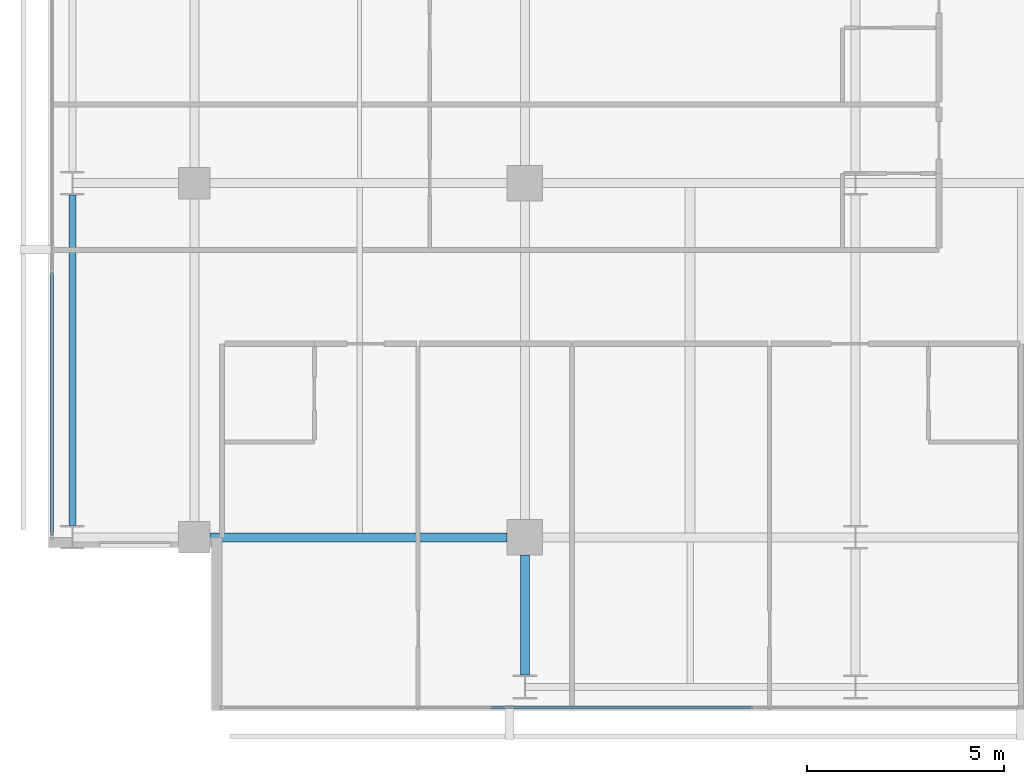
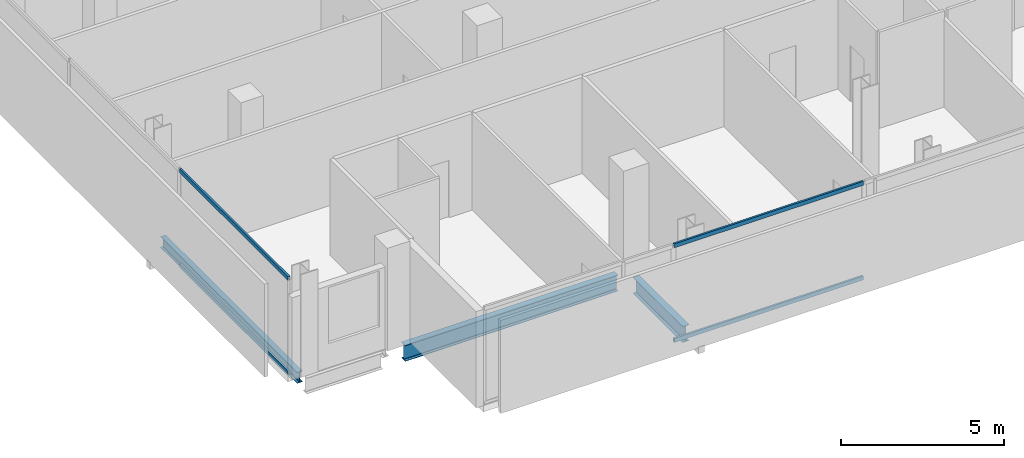
# One storey, part 3 of 34: 4 members, 3 beams, 2 elements without a shape of their own.
"""IFC4 building model written with IfcOpenShell, lengths in metres."""

import ifcopenshell
import ifcopenshell.guid

model = None  # the IFC model being written
_history = None  # IfcOwnerHistory: only IFC2X3 demands one
_inside = {}  # id of a spatial element -> (the spatial element, [elements in it])
_under = {}  # id of a project, library or spatial element -> (it, [spatial elements below it])
_declared = {}  # id of a project -> (the project, [libraries it declares])
_typed = {}  # id of a type object -> (the type object, [elements of that type])
_made_of = {}  # id of a material, layer set ... -> (it, [elements and type objects made of it])


def new_model(schema):
    """Start an empty IFC model of exactly this schema.

    Asked for "IFC4X3", IfcOpenShell would pick the latest addendum, in which some entities
    have other attributes; the version numbers below select the first issue.
    IFC2X3 requires an IfcOwnerHistory on every rooted entity: one is made here for all.
    """
    global model, _history
    if schema == "IFC4X3":
        model = ifcopenshell.file(schema_version=(4, 3, 0, 0))
    else:
        model = ifcopenshell.file(schema=schema)
    _inside.clear()
    _under.clear()
    _declared.clear()
    _typed.clear()
    _made_of.clear()
    _history = None
    if model.schema == "IFC2X3":
        org = make("IfcOrganization", Name="unknown")
        user = make(
            "IfcPersonAndOrganization",
            ThePerson=make("IfcPerson", FamilyName="unknown"),
            TheOrganization=org,
        )
        app = make(
            "IfcApplication",
            ApplicationDeveloper=org,
            Version="unknown",
            ApplicationFullName="unknown",
            ApplicationIdentifier="unknown",
        )
        _history = make(
            "IfcOwnerHistory",
            OwningUser=user,
            OwningApplication=app,
            ChangeAction="ADDED",
            CreationDate=0,
        )
    return model


def make(cls, **values):
    """One entity of the class cls with the attributes given. An attribute that is None is left unset."""
    return model.create_entity(
        cls, **{name: value for name, value in values.items() if value is not None}
    )


def rooted(cls, **values):
    """An entity with a GlobalId (a new one), such as an element, a storey or a relation."""
    return make(cls, GlobalId=ifcopenshell.guid.new(), OwnerHistory=_history, **values)


def si_unit(unit_type, name, prefix=None):
    """IfcSIUnit, for example si_unit("LENGTHUNIT", "METRE", prefix="MILLI")."""
    return make("IfcSIUnit", UnitType=unit_type, Prefix=prefix, Name=name)


def assignment(units):
    """IfcUnitAssignment: the units of a project."""
    return None if units is None else make("IfcUnitAssignment", Units=units)


def point(xyz):
    """IfcCartesianPoint."""
    return None if xyz is None else make("IfcCartesianPoint", Coordinates=xyz)


def direction(xyz):
    """IfcDirection."""
    return None if xyz is None else make("IfcDirection", DirectionRatios=xyz)


def frame(location, z_axis=None, x_axis=None):
    """IfcAxis2Placement3D, a coordinate frame: its origin and axes. An axis left out is left unset."""
    return make(
        "IfcAxis2Placement3D",
        Location=point(location),
        Axis=direction(z_axis),
        RefDirection=direction(x_axis),
    )


def frame_2d(location, x_axis=None):
    """IfcAxis2Placement2D, a coordinate frame in the plane: its origin and x axis."""
    return make(
        "IfcAxis2Placement2D", Location=point(location), RefDirection=direction(x_axis)
    )


def origin():
    """The frame at (0, 0, 0) with its axes left unset."""
    return frame((0.0, 0.0, 0.0))


def origin_2d():
    """The frame at (0, 0) in the plane with its x axis left unset."""
    return frame_2d((0.0, 0.0))


def place(relative_to, where):
    """IfcLocalPlacement: puts the frame where relative to a parent placement (None: the world)."""
    return make(
        "IfcLocalPlacement", PlacementRelTo=relative_to, RelativePlacement=where
    )


def context(
    kind, dimensions, precision=None, world=None, true_north=None, identifier=None
):
    """IfcGeometricRepresentationContext, for example the 3D "Model" context."""
    return make(
        "IfcGeometricRepresentationContext",
        ContextIdentifier=identifier,
        ContextType=kind,
        CoordinateSpaceDimension=dimensions,
        Precision=precision,
        WorldCoordinateSystem=world,
        TrueNorth=true_north,
    )


def subcontext(parent, identifier, kind, view, scale=None):
    """IfcGeometricRepresentationSubContext, for example "Body" below "Model"."""
    return make(
        "IfcGeometricRepresentationSubContext",
        ContextIdentifier=identifier,
        ContextType=kind,
        ParentContext=parent,
        TargetScale=scale,
        TargetView=view,
    )


def project(units=None, contexts=None):
    """IfcProject with its units and contexts."""
    return rooted(
        "IfcProject",
        Name="project",
        RepresentationContexts=contexts,
        UnitsInContext=assignment(units),
    )


def spatial(cls, under=None, at=None, **own):
    """A site, building, storey or space (cls), placed at a placement, below another one or the project."""
    s = rooted(cls, ObjectPlacement=at, **own)
    if under is not None:
        _under.setdefault(under.id(), (under, []))[1].append(s)
    return s


def profile(cls, at=None, kind="AREA", **sizes):
    """A parametric profile (cls). Its sizes go by their IFC names, for example OverallWidth=200.0."""
    return make(cls, ProfileType=kind, Position=at, **sizes)


def hollow_rectangle(**sizes):
    """IfcRectangleHollowProfileDef."""
    return profile("IfcRectangleHollowProfileDef", **sizes)


def i_section(**sizes):
    """IfcIShapeProfileDef."""
    return profile("IfcIShapeProfileDef", **sizes)


def extrude(swept, where, along, depth):
    """IfcExtrudedAreaSolid: the profile swept, set in the frame where, extruded along a direction by depth."""
    return make(
        "IfcExtrudedAreaSolid",
        SweptArea=swept,
        Position=where,
        ExtrudedDirection=direction(along),
        Depth=depth,
    )


def shape(context_of_items, identifier, shape_type, items):
    """IfcShapeRepresentation: the items that make up one representation, for example the "Body"."""
    return make(
        "IfcShapeRepresentation",
        ContextOfItems=context_of_items,
        RepresentationIdentifier=identifier,
        RepresentationType=shape_type,
        Items=items,
    )


def material(Name=None, Category=None):
    """IfcMaterial."""
    return make("IfcMaterial", Name=Name, Category=Category)


def layer(
    of_material, thickness, ventilated=None, Name=None, Category=None, Priority=None
):
    """IfcMaterialLayer: one layer of a wall or slab, of a material (None: an air gap)."""
    return make(
        "IfcMaterialLayer",
        Material=of_material,
        LayerThickness=thickness,
        IsVentilated=ventilated,
        Name=Name,
        Category=Category,
        Priority=Priority,
    )


def layer_set(layers, Name=None):
    """IfcMaterialLayerSet."""
    return make("IfcMaterialLayerSet", MaterialLayers=layers, LayerSetName=Name)


def material_profile(
    of_material, cross_section, Name=None, Category=None, Priority=None
):
    """IfcMaterialProfile: a cross section and its material."""
    return make(
        "IfcMaterialProfile",
        Name=Name,
        Material=of_material,
        Profile=cross_section,
        Priority=Priority,
        Category=Category,
    )


def profile_set(profiles, Name=None, composite=None):
    """IfcMaterialProfileSet."""
    return make(
        "IfcMaterialProfileSet",
        Name=Name,
        MaterialProfiles=profiles,
        CompositeProfile=composite,
    )


def made_of(thing, what):
    """Note that an element or type object is made of a material, layer set ...; save() writes the relation."""
    if what is not None:
        _made_of.setdefault(what.id(), (what, []))[1].append(thing)
    return thing


def type_object(cls, material=None, **own):
    """A type object (cls), such as IfcWallType, which elements share."""
    return made_of(rooted(cls, **own), material)


def element(
    cls,
    number,
    at=None,
    inside=None,
    cuts=None,
    type_object=None,
    material=None,
    context=None,
    identifier="Body",
    shape_type=None,
    held_by="IfcProductDefinitionShape",
    body=None,
    shapes=None,
    **own,
):
    """One element of the class cls, such as IfcWall. Its Tag is "e" and its number.

    at: its placement. inside: the storey or other place that contains it. cuts: it is an
    opening in that element (IfcRelVoidsElement). A single representation is given by context,
    identifier, shape_type and body (its items); several are given by shapes. held_by: the class
    of the entity that holds the representations. save() writes the other relations.
    """
    e = rooted(cls, Tag="e%d" % number, ObjectPlacement=at, **own)
    if body is not None:
        shapes = [shape(context, identifier, shape_type, body)]
    if shapes is not None:
        e.Representation = make(held_by, Representations=shapes)
    if inside is not None:
        _inside.setdefault(inside.id(), (inside, []))[1].append(e)
    if cuts is not None:
        rooted(
            "IfcRelVoidsElement", RelatingBuildingElement=cuts, RelatedOpeningElement=e
        )
    if type_object is not None:
        _typed.setdefault(type_object.id(), (type_object, []))[1].append(e)
    return made_of(e, material)


def aggregate(whole, parts):
    """IfcRelAggregates: a whole, such as a stair, and the parts it consists of."""
    return rooted("IfcRelAggregates", RelatingObject=whole, RelatedObjects=parts)


def save(model, path):
    """Write the relations noted so far, then the file.

    IfcRelAggregates (storeys below a building ...), IfcRelContainedInSpatialStructure (elements
    in a storey), IfcRelDefinesByType, IfcRelAssociatesMaterial and IfcRelDeclares: one each for
    every whole, place, type object, material and project.
    """
    for whole, parts in _under.values():
        aggregate(whole, parts)
    for where, things in _inside.values():
        rooted(
            "IfcRelContainedInSpatialStructure",
            RelatedElements=things,
            RelatingStructure=where,
        )
    for kind, things in _typed.values():
        rooted("IfcRelDefinesByType", RelatedObjects=things, RelatingType=kind)
    for what, things in _made_of.values():
        rooted("IfcRelAssociatesMaterial", RelatedObjects=things, RelatingMaterial=what)
    for by, libraries in _declared.values():
        rooted("IfcRelDeclares", RelatingContext=by, RelatedDefinitions=libraries)
    model.write(path)


model = new_model("IFC4")

# Units and contexts
model_context = context("Model", 3, precision=1e-05, world=origin(), true_north=direction((0.0, 1.0)))
body_context = subcontext(model_context, "Body", "Model", "MODEL_VIEW")
ifc_project = project(units=[si_unit("LENGTHUNIT", "METRE"), si_unit("AREAUNIT", "SQUARE_METRE"), si_unit("VOLUMEUNIT", "CUBIC_METRE"), si_unit("PLANEANGLEUNIT", "RADIAN"), si_unit("MASSUNIT", "GRAM", prefix="KILO")], contexts=[model_context])

# Site, building, storey
site_placement = place(None, origin())
site = spatial("IfcSite", under=ifc_project, at=site_placement, CompositionType="ELEMENT")
building_placement = place(site_placement, origin())
building = spatial("IfcBuilding", under=site, at=building_placement, Name="Maruvema Waterfront Hotel and Observation Tower", CompositionType="ELEMENT")
storey_placement = place(building_placement, frame((0.0, 0.0, 192.85009765625)))
storey = spatial("IfcBuildingStorey", under=building, at=storey_placement, Name="L47", CompositionType="ELEMENT", Elevation=192.85009765625)

# Curtain wall, members
ifc_material_1 = material(Name="Anodised bronze aluminium and solar-control low-E IGU", Category="aluminium")
ifc_layer = layer(ifc_material_1, 0.159912109375, Name="Zone 2 Amber Inner Thermal Curtain Wall System CW-03")
ifc_layer_set = layer_set([ifc_layer], Name="Anodised bronze aluminium and solar-control low-E IGU")
curtain_wall_type = type_object("IfcCurtainWallType", Name="Zone 2 Amber Inner Thermal Curtain Wall System CW-03", PredefinedType="USERDEFINED", material=ifc_layer_set)
curtain_wall_1_placement = place(storey_placement, origin())
curtain_wall_1 = element("IfcCurtainWall", 1, at=curtain_wall_1_placement, inside=storey, type_object=curtain_wall_type, Name="L47 Curtain Wall CW-L47-S", ObjectType="UNITISED CURTAIN WALL", PredefinedType="USERDEFINED")
ifc_material_2 = material(Name="Anodised architectural bronze aluminium", Category="aluminium")
ifc_material_profile_1 = material_profile(ifc_material_2, hollow_rectangle(XDim=0.070068359375, YDim=0.14990234375, WallThickness=0.00390625, at=origin_2d()), Name="ALU-T70x150")
ifc_profile_set_1 = profile_set([ifc_material_profile_1], Name="Anodised architectural bronze aluminium")
member_type = type_object("IfcMemberType", Name="Curtain Wall Horizontal Transom ALU-T70x150", PredefinedType="USERDEFINED", material=ifc_profile_set_1)
member_1_placement = place(storey_placement, frame((24.296630859375, 4.679931640625, 0.02978515625), z_axis=(1.0, 0.0, 0.0), x_axis=(0.0, 1.0, 0.0)))
member_1 = element("IfcMember", 2, at=member_1_placement, type_object=member_type, Name="CW-03 transom 2.1", ObjectType="TRANSOM", PredefinedType="USERDEFINED", context=body_context, shape_type="SweptSolid", body=[
    extrude(hollow_rectangle(XDim=0.070068359375, YDim=0.14990234375, WallThickness=0.00390625, at=origin_2d()), origin(), (0.0, 0.0, 1.0), 6.706787109375),
])
member_2_placement = place(storey_placement, frame((24.296630859375, 4.679931640625, 3.579833984375), z_axis=(1.0, 0.0, 0.0), x_axis=(0.0, 1.0, 0.0)))
member_2 = element("IfcMember", 3, at=member_2_placement, type_object=member_type, Name="CW-03 transom 2.2", ObjectType="TRANSOM", PredefinedType="USERDEFINED", context=body_context, shape_type="SweptSolid", body=[
    extrude(hollow_rectangle(XDim=0.070068359375, YDim=0.14990234375, WallThickness=0.00390625, at=origin_2d()), origin(), (0.0, 0.0, 1.0), 6.706787109375),
])
aggregate(curtain_wall_1, [member_1, member_2])

curtain_wall_2_placement = place(storey_placement, origin())
curtain_wall_2 = element("IfcCurtainWall", 4, at=curtain_wall_2_placement, inside=storey, type_object=curtain_wall_type, Name="L47 Curtain Wall CW-L47-W", ObjectType="UNITISED CURTAIN WALL", PredefinedType="USERDEFINED")
member_3_placement = place(storey_placement, frame((13.179931640625, 15.736572265625, 0.02978515625), z_axis=(0.0, -1.0, 0.0), x_axis=(1.0, 0.0, 0.0)))
member_3 = element("IfcMember", 5, at=member_3_placement, type_object=member_type, Name="CW-03 transom 6.1", ObjectType="TRANSOM", PredefinedType="USERDEFINED", context=body_context, shape_type="SweptSolid", body=[
    extrude(hollow_rectangle(XDim=0.070068359375, YDim=0.14990234375, WallThickness=0.00390625, at=origin_2d()), origin(), (0.0, 0.0, 1.0), 6.676513671875),
])
member_4_placement = place(storey_placement, frame((13.179931640625, 15.736572265625, 3.579833984375), z_axis=(0.0, -1.0, 0.0), x_axis=(1.0, 0.0, 0.0)))
member_4 = element("IfcMember", 6, at=member_4_placement, type_object=member_type, Name="CW-03 transom 6.2", ObjectType="TRANSOM", PredefinedType="USERDEFINED", context=body_context, shape_type="SweptSolid", body=[
    extrude(hollow_rectangle(XDim=0.070068359375, YDim=0.14990234375, WallThickness=0.00390625, at=origin_2d()), origin(), (0.0, 0.0, 1.0), 6.676513671875),
])
aggregate(curtain_wall_2, [member_3, member_4])

# Beams
ifc_material_3 = material(Name="Steel ASTM A572 Grade 50", Category="steel")
ifc_material_profile_2 = material_profile(ifc_material_3, i_section(OverallWidth=0.180908203125, OverallDepth=0.4169921875, WebThickness=0.010986328125, FlangeThickness=0.018310546875, FilletRadius=0.014892578125, at=origin_2d()), Name="W410x85.0")
ifc_profile_set_2 = profile_set([ifc_material_profile_2], Name="Steel ASTM A572 Grade 50")
beam_type_1 = type_object("IfcBeamType", Name="Perimeter Spandrel Beam W410x85.0", PredefinedType="SPANDREL", material=ifc_profile_set_2)
beam_1_placement = place(storey_placement, frame((13.699951171875, 9.300048828125, -0.448486328125), z_axis=(0.0, 1.0, 0.0), x_axis=(-1.0, 0.0, 0.0)))
element("IfcBeam", 7, at=beam_1_placement, inside=storey, type_object=beam_type_1, Name="L47 Floor Girder NS-01", PredefinedType="SPANDREL", context=body_context, shape_type="SweptSolid", body=[
    extrude(i_section(OverallWidth=0.180908203125, OverallDepth=0.4169921875, WebThickness=0.010986328125, FlangeThickness=0.018310546875, FilletRadius=0.014892578125, at=origin_2d()), origin(), (0.0, 0.0, 1.0), 8.39990234375),
])
ifc_material_4 = material(Name="Steel ASTM A572 Grade 50", Category="steel")
ifc_material_profile_3 = material_profile(ifc_material_4, i_section(OverallWidth=0.22802734375, OverallDepth=0.60302734375, WebThickness=0.010498046875, FlangeThickness=0.014892578125, FilletRadius=0.01806640625, at=origin_2d()), Name="W610x101.0")
ifc_profile_set_3 = profile_set([ifc_material_profile_3], Name="Steel ASTM A572 Grade 50")
beam_type_2 = type_object("IfcBeamType", Name="Primary Floor Girder W610x101.0", PredefinedType="BEAM", material=ifc_profile_set_3)
beam_2_placement = place(storey_placement, frame((17.199951171875, 9.0, -0.54150390625), z_axis=(1.0, 0.0, 0.0), x_axis=(0.0, 1.0, 0.0)))
element("IfcBeam", 8, at=beam_2_placement, inside=storey, type_object=beam_type_2, Name="L47 Floor Girder EW-05", PredefinedType="BEAM", context=body_context, shape_type="SweptSolid", body=[
    extrude(i_section(OverallWidth=0.22802734375, OverallDepth=0.60302734375, WebThickness=0.010498046875, FlangeThickness=0.014892578125, FilletRadius=0.01806640625, at=origin_2d()), origin(), (0.0, 0.0, 1.0), 7.550048828125),
])
beam_3_placement = place(storey_placement, frame((25.199951171875, 5.5, -0.54150390625), z_axis=(0.0, 1.0, 0.0), x_axis=(-1.0, 0.0, 0.0)))
element("IfcBeam", 9, at=beam_3_placement, inside=storey, type_object=beam_type_2, Name="L47 Floor Girder NS-09", PredefinedType="BEAM", context=body_context, shape_type="SweptSolid", body=[
    extrude(i_section(OverallWidth=0.22802734375, OverallDepth=0.60302734375, WebThickness=0.010498046875, FlangeThickness=0.014892578125, FilletRadius=0.01806640625, at=origin_2d()), origin(), (0.0, 0.0, 1.0), 3.050048828125),
])

save(model, "model.ifc")
